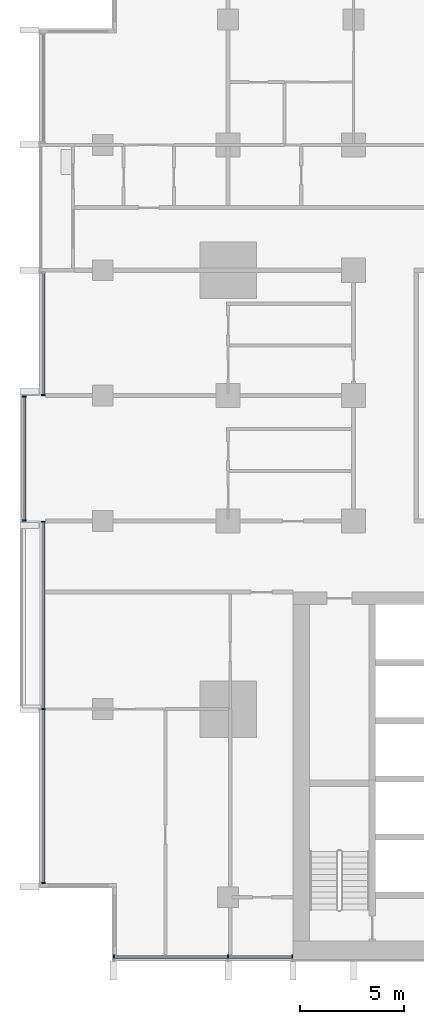
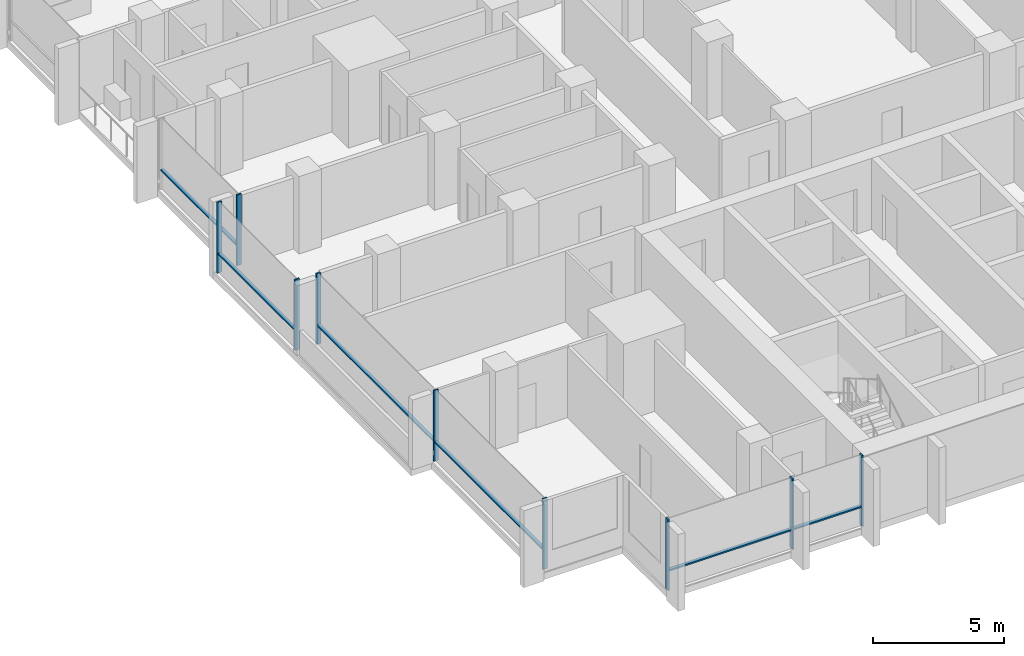
# One storey, part 2 of 17: 15 members, 4 elements without a shape of their own.
"""IFC4 building model written with IfcOpenShell, lengths in metres."""

from ifc_helpers import new_model, si_unit, direction, frame, origin, origin_2d, place, context, subcontext, project, spatial, rectangle, extrude, material, material_profile, profile_set, type_object, element, aggregate, save


model = new_model("IFC4")

# Units and contexts
model_context = context("Model", 3, precision=1e-05, world=origin(), true_north=direction((0.0, 1.0)))
body_context = subcontext(model_context, "Body", "Model", "MODEL_VIEW")
ifc_project = project(units=[si_unit("LENGTHUNIT", "METRE"), si_unit("AREAUNIT", "SQUARE_METRE"), si_unit("VOLUMEUNIT", "CUBIC_METRE"), si_unit("PLANEANGLEUNIT", "RADIAN"), si_unit("MASSUNIT", "GRAM", prefix="KILO")], contexts=[model_context])

# Site, building, storey
site_placement = place(None, origin())
site = spatial("IfcSite", under=ifc_project, at=site_placement, CompositionType="ELEMENT")
building_placement = place(site_placement, origin())
building = spatial("IfcBuilding", under=site, at=building_placement, Name="Finial Court Residences", CompositionType="ELEMENT")
storey_placement = place(building_placement, frame((0.0, 0.0, 120.699951171875)))
storey = spatial("IfcBuildingStorey", under=building, at=storey_placement, Name="L30", CompositionType="ELEMENT", Elevation=120.699951171875)

# Curtain wall, members
ifc_material = material(Name="Bronze anodised aluminium", Category="aluminium")
curtain_wall_type = type_object("IfcCurtainWallType", Name="Unitised curtain wall, lower and middle zones", PredefinedType="NOTDEFINED", material=ifc_material)
curtain_wall_1_placement = place(storey_placement, origin())
curtain_wall_1 = element("IfcCurtainWall", 1, at=curtain_wall_1_placement, inside=storey, type_object=curtain_wall_type, Name="E-L30-CW-S10", PredefinedType="NOTDEFINED")
ifc_material_profile_1 = material_profile(ifc_material, rectangle(XDim=0.199951171875, YDim=0.06494140625, at=origin_2d()), Name="CW1 mullion 65 x 200")
ifc_profile_set_1 = profile_set([ifc_material_profile_1], Name="Bronze anodised aluminium")
member_type_1 = type_object("IfcMemberType", Name="CW1 mullion 65 x 200", PredefinedType="MULLION", material=ifc_profile_set_1)
member_1_placement = place(storey_placement, frame((-21.967529296875, -25.35009765625, 0.0), z_axis=(0.0, 0.0, 1.0), x_axis=(0.0, 1.0, 0.0)))
member_1 = element("IfcMember", 2, at=member_1_placement, type_object=member_type_1, Name="CW1 mullion 1", PredefinedType="MULLION", context=body_context, shape_type="SweptSolid", body=[
    extrude(rectangle(XDim=0.199951171875, YDim=0.06494140625, at=origin_2d()), origin(), (0.0, 0.0, 1.0), 3.300048828125),
])
member_2_placement = place(storey_placement, frame((-16.5, -25.35009765625, 0.0), z_axis=(0.0, 0.0, 1.0), x_axis=(0.0, 1.0, 0.0)))
member_2 = element("IfcMember", 3, at=member_2_placement, type_object=member_type_1, Name="CW1 mullion 2", PredefinedType="MULLION", context=body_context, shape_type="SweptSolid", body=[
    extrude(rectangle(XDim=0.199951171875, YDim=0.06494140625, at=origin_2d()), origin(), (0.0, 0.0, 1.0), 3.300048828125),
])
member_3_placement = place(storey_placement, frame((-13.4326171875, -25.35009765625, 0.0), z_axis=(0.0, 0.0, 1.0), x_axis=(0.0, 1.0, 0.0)))
member_3 = element("IfcMember", 4, at=member_3_placement, type_object=member_type_1, Name="CW1 mullion 3", PredefinedType="MULLION", context=body_context, shape_type="SweptSolid", body=[
    extrude(rectangle(XDim=0.199951171875, YDim=0.06494140625, at=origin_2d()), origin(), (0.0, 0.0, 1.0), 3.300048828125),
])

curtain_wall_2_placement = place(storey_placement, origin())
curtain_wall_2 = element("IfcCurtainWall", 5, at=curtain_wall_2_placement, inside=storey, type_object=curtain_wall_type, Name="E-L30-CW-W12", PredefinedType="NOTDEFINED")
member_4_placement = place(storey_placement, frame((-25.35009765625, -21.8173828125, 0.0), z_axis=(0.0, 0.0, 1.0), x_axis=(-1.0, 0.0, 0.0)))
member_4 = element("IfcMember", 6, at=member_4_placement, type_object=member_type_1, Name="CW1 mullion 1", PredefinedType="MULLION", context=body_context, shape_type="SweptSolid", body=[
    extrude(rectangle(XDim=0.199951171875, YDim=0.06494140625, at=origin_2d()), origin(), (0.0, 0.0, 1.0), 3.300048828125),
])
member_5_placement = place(storey_placement, frame((-25.35009765625, -13.5, 0.0), z_axis=(0.0, 0.0, 1.0), x_axis=(-1.0, 0.0, 0.0)))
member_5 = element("IfcMember", 7, at=member_5_placement, type_object=member_type_1, Name="CW1 mullion 2", PredefinedType="MULLION", context=body_context, shape_type="SweptSolid", body=[
    extrude(rectangle(XDim=0.199951171875, YDim=0.06494140625, at=origin_2d()), origin(), (0.0, 0.0, 1.0), 3.300048828125),
])
member_6_placement = place(storey_placement, frame((-25.35009765625, -4.532470703125, 0.0), z_axis=(0.0, 0.0, 1.0), x_axis=(-1.0, 0.0, 0.0)))
member_6 = element("IfcMember", 8, at=member_6_placement, type_object=member_type_1, Name="CW1 mullion 3", PredefinedType="MULLION", context=body_context, shape_type="SweptSolid", body=[
    extrude(rectangle(XDim=0.199951171875, YDim=0.06494140625, at=origin_2d()), origin(), (0.0, 0.0, 1.0), 3.300048828125),
])

curtain_wall_3_placement = place(storey_placement, origin())
curtain_wall_3 = element("IfcCurtainWall", 9, at=curtain_wall_3_placement, inside=storey, type_object=curtain_wall_type, Name="E-L30-CW-W13", PredefinedType="NOTDEFINED")
member_7_placement = place(storey_placement, frame((-26.25, -4.467529296875, 0.0), z_axis=(0.0, 0.0, 1.0), x_axis=(-1.0, 0.0, 0.0)))
member_7 = element("IfcMember", 10, at=member_7_placement, type_object=member_type_1, Name="CW1 mullion 1", PredefinedType="MULLION", context=body_context, shape_type="SweptSolid", body=[
    extrude(rectangle(XDim=0.199951171875, YDim=0.06494140625, at=origin_2d()), origin(), (0.0, 0.0, 1.0), 3.300048828125),
])
member_8_placement = place(storey_placement, frame((-26.25, 1.467529296875, 0.0), z_axis=(0.0, 0.0, 1.0), x_axis=(-1.0, 0.0, 0.0)))
member_8 = element("IfcMember", 11, at=member_8_placement, type_object=member_type_1, Name="CW1 mullion 2", PredefinedType="MULLION", context=body_context, shape_type="SweptSolid", body=[
    extrude(rectangle(XDim=0.199951171875, YDim=0.06494140625, at=origin_2d()), origin(), (0.0, 0.0, 1.0), 3.300048828125),
])

# Curtain wall, member
curtain_wall_4_placement = place(storey_placement, origin())
curtain_wall_4 = element("IfcCurtainWall", 12, at=curtain_wall_4_placement, inside=storey, type_object=curtain_wall_type, Name="E-L30-CW-W14", PredefinedType="NOTDEFINED")
member_9_placement = place(storey_placement, frame((-25.35009765625, 1.532470703125, 0.0), z_axis=(0.0, 0.0, 1.0), x_axis=(-1.0, 0.0, 0.0)))
member_9 = element("IfcMember", 13, at=member_9_placement, type_object=member_type_1, Name="CW1 mullion 1", PredefinedType="MULLION", context=body_context, shape_type="SweptSolid", body=[
    extrude(rectangle(XDim=0.199951171875, YDim=0.06494140625, at=origin_2d()), origin(), (0.0, 0.0, 1.0), 3.300048828125),
])

# Member
ifc_material_profile_2 = material_profile(ifc_material, rectangle(XDim=0.14990234375, YDim=0.06494140625, at=origin_2d()), Name="CW1 transom 65 x 150")
ifc_profile_set_2 = profile_set([ifc_material_profile_2], Name="Bronze anodised aluminium")
member_type_2 = type_object("IfcMemberType", Name="CW1 transom 65 x 150", PredefinedType="USERDEFINED", material=ifc_profile_set_2)
member_10_placement = place(storey_placement, frame((-21.93505859375, -25.35009765625, 0.900146484375), z_axis=(1.0, 0.0, 0.0), x_axis=(0.0, 1.0, 0.0)))
member_10 = element("IfcMember", 14, at=member_10_placement, type_object=member_type_2, Name="CW1 transom 1.1", ObjectType="TRANSOM", PredefinedType="USERDEFINED", context=body_context, shape_type="SweptSolid", body=[
    extrude(rectangle(XDim=0.14990234375, YDim=0.06494140625, at=origin_2d()), origin(), (0.0, 0.0, 1.0), 5.402587890625),
])

member_11_placement = place(storey_placement, frame((-16.467529296875, -25.35009765625, 0.900146484375), z_axis=(1.0, 0.0, 0.0), x_axis=(0.0, 1.0, 0.0)))
member_11 = element("IfcMember", 15, at=member_11_placement, type_object=member_type_2, Name="CW1 transom 2.1", ObjectType="TRANSOM", PredefinedType="USERDEFINED", context=body_context, shape_type="SweptSolid", body=[
    extrude(rectangle(XDim=0.14990234375, YDim=0.06494140625, at=origin_2d()), origin(), (0.0, 0.0, 1.0), 3.00244140625),
])

aggregate(curtain_wall_1, [member_1, member_2, member_3, member_10, member_11])

member_12_placement = place(storey_placement, frame((-25.35009765625, -21.784912109375, 0.900146484375), z_axis=(0.0, 1.0, 0.0), x_axis=(-1.0, 0.0, 0.0)))
member_12 = element("IfcMember", 16, at=member_12_placement, type_object=member_type_2, Name="CW1 transom 1.1", ObjectType="TRANSOM", PredefinedType="USERDEFINED", context=body_context, shape_type="SweptSolid", body=[
    extrude(rectangle(XDim=0.14990234375, YDim=0.06494140625, at=origin_2d()), origin(), (0.0, 0.0, 1.0), 8.25244140625),
])

member_13_placement = place(storey_placement, frame((-25.35009765625, -13.467529296875, 0.900146484375), z_axis=(0.0, 1.0, 0.0), x_axis=(-1.0, 0.0, 0.0)))
member_13 = element("IfcMember", 17, at=member_13_placement, type_object=member_type_2, Name="CW1 transom 2.1", ObjectType="TRANSOM", PredefinedType="USERDEFINED", context=body_context, shape_type="SweptSolid", body=[
    extrude(rectangle(XDim=0.14990234375, YDim=0.06494140625, at=origin_2d()), origin(), (0.0, 0.0, 1.0), 8.902587890625),
])

aggregate(curtain_wall_2, [member_4, member_5, member_6, member_12, member_13])

member_14_placement = place(storey_placement, frame((-26.25, -4.43505859375, 0.900146484375), z_axis=(0.0, 1.0, 0.0), x_axis=(-1.0, 0.0, 0.0)))
member_14 = element("IfcMember", 18, at=member_14_placement, type_object=member_type_2, Name="CW1 transom 1.1", ObjectType="TRANSOM", PredefinedType="USERDEFINED", context=body_context, shape_type="SweptSolid", body=[
    extrude(rectangle(XDim=0.14990234375, YDim=0.06494140625, at=origin_2d()), origin(), (0.0, 0.0, 1.0), 5.8701171875),
])

aggregate(curtain_wall_3, [member_7, member_8, member_14])

member_15_placement = place(storey_placement, frame((-25.35009765625, 1.56494140625, 0.900146484375), z_axis=(0.0, 1.0, 0.0), x_axis=(-1.0, 0.0, 0.0)))
member_15 = element("IfcMember", 19, at=member_15_placement, type_object=member_type_2, Name="CW1 transom 1.1", ObjectType="TRANSOM", PredefinedType="USERDEFINED", context=body_context, shape_type="SweptSolid", body=[
    extrude(rectangle(XDim=0.14990234375, YDim=0.06494140625, at=origin_2d()), origin(), (0.0, 0.0, 1.0), 5.795166015625),
])

aggregate(curtain_wall_4, [member_9, member_15])

save(model, "model.ifc")
